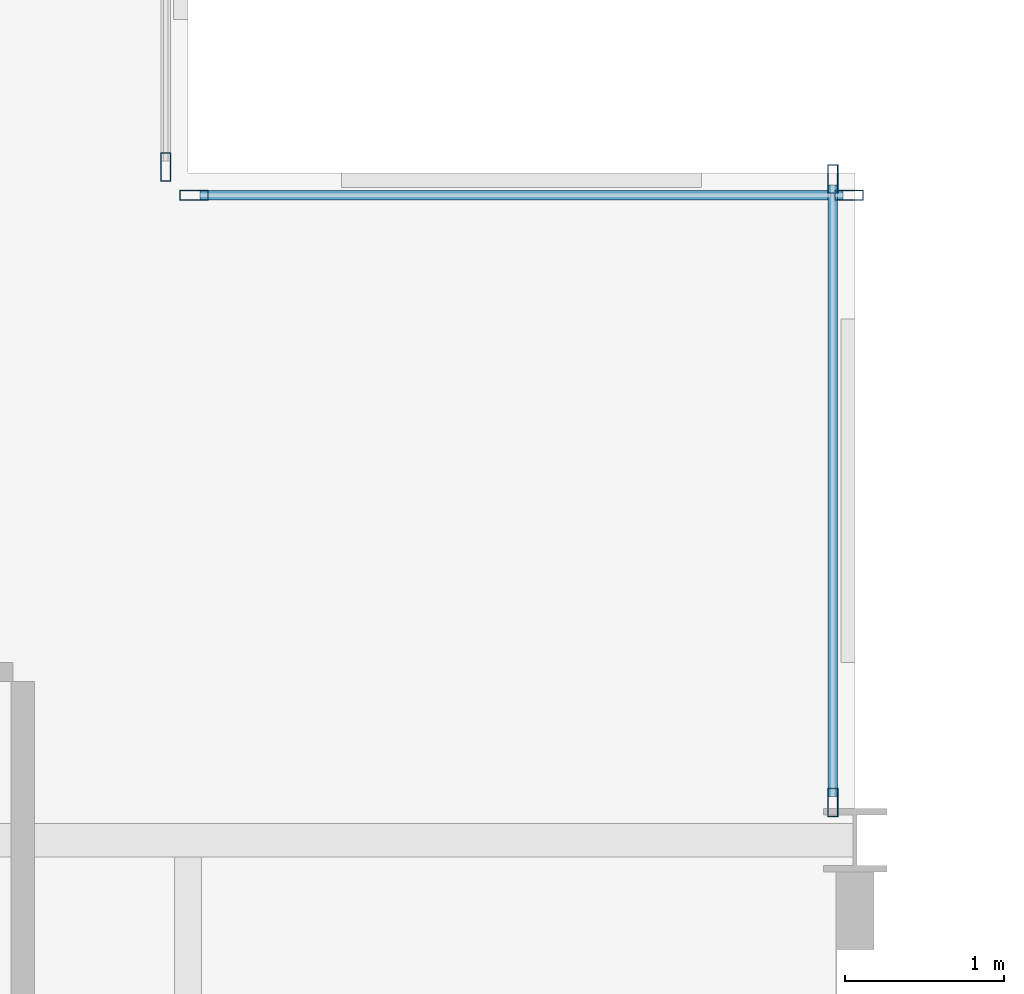
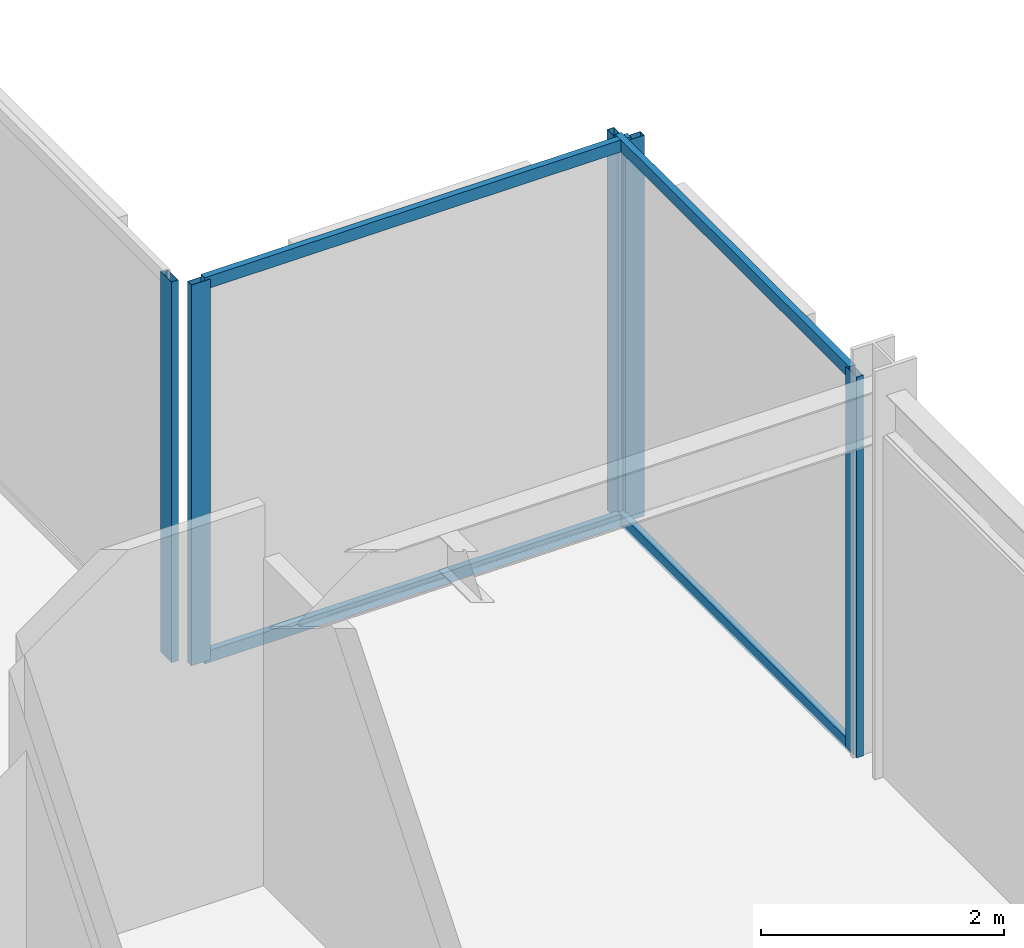
# One storey, part 20 of 29: 9 members, 3 elements without a shape of their own.
"""IFC4 building model written with IfcOpenShell, lengths in metres."""

from ifc_helpers import new_model, si_unit, direction, frame, origin, origin_2d, place, context, subcontext, project, spatial, hollow_rectangle, extrude, material, layer, layer_set, material_profile, profile_set, type_object, element, aggregate, save


model = new_model("IFC4")

# Units and contexts
model_context = context("Model", 3, precision=1e-05, world=origin(), true_north=direction((0.0, 1.0)))
body_context = subcontext(model_context, "Body", "Model", "MODEL_VIEW")
ifc_project = project(units=[si_unit("LENGTHUNIT", "METRE"), si_unit("AREAUNIT", "SQUARE_METRE"), si_unit("VOLUMEUNIT", "CUBIC_METRE"), si_unit("PLANEANGLEUNIT", "RADIAN"), si_unit("MASSUNIT", "GRAM", prefix="KILO")], contexts=[model_context])

# Site, building, storey
site_placement = place(None, origin())
site = spatial("IfcSite", under=ifc_project, at=site_placement, CompositionType="ELEMENT")
building_placement = place(site_placement, origin())
building = spatial("IfcBuilding", under=site, at=building_placement, Name="Nerrivon Quay Data Exchange", CompositionType="ELEMENT")
storey_placement = place(building_placement, frame((0.0, 0.0, 137.699951171875)))
storey = spatial("IfcBuildingStorey", under=building, at=storey_placement, Name="L32", CompositionType="ELEMENT", Elevation=137.699951171875)

# Curtain wall, member
ifc_material = material(Name="Anodised aluminium 6063-T6", Category="aluminium")
ifc_layer = layer(ifc_material, 0.2099609375)
ifc_layer_set = layer_set([ifc_layer], Name="Anodised aluminium 6063-T6")
curtain_wall_type = type_object("IfcCurtainWallType", Name="CW-SYS-02", PredefinedType="NOTDEFINED", material=ifc_layer_set)
curtain_wall_1_placement = place(storey_placement, origin())
curtain_wall_1 = element("IfcCurtainWall", 1, at=curtain_wall_1_placement, inside=storey, type_object=curtain_wall_type, Name="L32 Unitised Curtain Wall 21", PredefinedType="NOTDEFINED")
ifc_material_profile_1 = material_profile(ifc_material, hollow_rectangle(XDim=0.06494140625, YDim=0.179931640625, WallThickness=0.00341796875, at=origin_2d()), Name="ALU-MULL-180x65")
ifc_profile_set_1 = profile_set([ifc_material_profile_1], Name="Anodised aluminium 6063-T6")
member_type_1 = type_object("IfcMemberType", Name="CWM-180x65", PredefinedType="MULLION", material=ifc_profile_set_1)
member_1_placement = place(storey_placement, frame((20.860107421875, 46.237548828125, 0.0), z_axis=(0.0, 0.0, 1.0), x_axis=(1.0, 0.0, 0.0)))
member_1 = element("IfcMember", 2, at=member_1_placement, type_object=member_type_1, Name="CW02 mullion 2", PredefinedType="MULLION", context=body_context, shape_type="SweptSolid", body=[
    extrude(hollow_rectangle(XDim=0.06494140625, YDim=0.179931640625, WallThickness=0.00341796875, at=origin_2d()), origin(), (0.0, 0.0, 1.0), 3.824951171875),
])
aggregate(curtain_wall_1, [member_1])

# Curtain wall, members
curtain_wall_2_placement = place(storey_placement, origin())
curtain_wall_2 = element("IfcCurtainWall", 3, at=curtain_wall_2_placement, inside=storey, type_object=curtain_wall_type, Name="L32 Unitised Curtain Wall 22", PredefinedType="NOTDEFINED")
member_2_placement = place(storey_placement, frame((21.03759765625, 46.06005859375, 0.0), z_axis=(0.0, 0.0, 1.0), x_axis=(0.0, 1.0, 0.0)))
member_2 = element("IfcMember", 4, at=member_2_placement, type_object=member_type_1, Name="CW02 mullion 1", PredefinedType="MULLION", context=body_context, shape_type="SweptSolid", body=[
    extrude(hollow_rectangle(XDim=0.06494140625, YDim=0.179931640625, WallThickness=0.00341796875, at=origin_2d()), origin(), (0.0, 0.0, 1.0), 3.824951171875),
])
member_3_placement = place(storey_placement, frame((25.16259765625, 46.06005859375, 0.0), z_axis=(0.0, 0.0, 1.0), x_axis=(0.0, 1.0, 0.0)))
member_3 = element("IfcMember", 5, at=member_3_placement, type_object=member_type_1, Name="CW02 mullion 2", PredefinedType="MULLION", context=body_context, shape_type="SweptSolid", body=[
    extrude(hollow_rectangle(XDim=0.06494140625, YDim=0.179931640625, WallThickness=0.00341796875, at=origin_2d()), origin(), (0.0, 0.0, 1.0), 3.824951171875),
])

curtain_wall_3_placement = place(storey_placement, origin())
curtain_wall_3 = element("IfcCurtainWall", 6, at=curtain_wall_3_placement, inside=storey, type_object=curtain_wall_type, Name="L32 Unitised Curtain Wall 23", PredefinedType="NOTDEFINED")
member_4_placement = place(storey_placement, frame((25.06005859375, 46.16259765625, 0.0), z_axis=(0.0, 0.0, 1.0), x_axis=(1.0, 0.0, 0.0)))
member_4 = element("IfcMember", 7, at=member_4_placement, type_object=member_type_1, Name="CW02 mullion 1", PredefinedType="MULLION", context=body_context, shape_type="SweptSolid", body=[
    extrude(hollow_rectangle(XDim=0.06494140625, YDim=0.179931640625, WallThickness=0.00341796875, at=origin_2d()), origin(), (0.0, 0.0, 1.0), 3.824951171875),
])
member_5_placement = place(storey_placement, frame((25.06005859375, 42.237548828125, 0.0), z_axis=(0.0, 0.0, 1.0), x_axis=(1.0, 0.0, 0.0)))
member_5 = element("IfcMember", 8, at=member_5_placement, type_object=member_type_1, Name="CW02 mullion 2", PredefinedType="MULLION", context=body_context, shape_type="SweptSolid", body=[
    extrude(hollow_rectangle(XDim=0.06494140625, YDim=0.179931640625, WallThickness=0.00341796875, at=origin_2d()), origin(), (0.0, 0.0, 1.0), 3.824951171875),
])

# Member
ifc_material_profile_2 = material_profile(ifc_material, hollow_rectangle(XDim=0.06005859375, YDim=0.1201171875, WallThickness=0.003173828125, at=origin_2d()), Name="ALU-TRAN-120x60")
ifc_profile_set_2 = profile_set([ifc_material_profile_2], Name="Anodised aluminium 6063-T6")
member_type_2 = type_object("IfcMemberType", Name="CWT-120x60", PredefinedType="USERDEFINED", material=ifc_profile_set_2)
member_6_placement = place(storey_placement, frame((21.074951171875, 46.06005859375, 0.032470703125), z_axis=(1.0, 0.0, 0.0), x_axis=(0.0, 1.0, 0.0)))
member_6 = element("IfcMember", 9, at=member_6_placement, type_object=member_type_2, Name="CW02 transom 1.1", ObjectType="TRANSOM", PredefinedType="USERDEFINED", context=body_context, shape_type="SweptSolid", body=[
    extrude(hollow_rectangle(XDim=0.06005859375, YDim=0.1201171875, WallThickness=0.003173828125, at=origin_2d()), origin(), (0.0, 0.0, 1.0), 4.050048828125),
])

member_7_placement = place(storey_placement, frame((21.074951171875, 46.06005859375, 3.79248046875), z_axis=(1.0, 0.0, 0.0), x_axis=(0.0, 1.0, 0.0)))
member_7 = element("IfcMember", 10, at=member_7_placement, type_object=member_type_2, Name="CW02 transom 1.2", ObjectType="TRANSOM", PredefinedType="USERDEFINED", context=body_context, shape_type="SweptSolid", body=[
    extrude(hollow_rectangle(XDim=0.06005859375, YDim=0.1201171875, WallThickness=0.003173828125, at=origin_2d()), origin(), (0.0, 0.0, 1.0), 4.050048828125),
])

aggregate(curtain_wall_2, [member_2, member_3, member_6, member_7])

member_8_placement = place(storey_placement, frame((25.06005859375, 46.125, 0.032470703125), z_axis=(0.0, -1.0, 0.0), x_axis=(1.0, 0.0, 0.0)))
member_8 = element("IfcMember", 11, at=member_8_placement, type_object=member_type_2, Name="CW02 transom 1.1", ObjectType="TRANSOM", PredefinedType="USERDEFINED", context=body_context, shape_type="SweptSolid", body=[
    extrude(hollow_rectangle(XDim=0.06005859375, YDim=0.1201171875, WallThickness=0.003173828125, at=origin_2d()), origin(), (0.0, 0.0, 1.0), 3.85009765625),
])

member_9_placement = place(storey_placement, frame((25.06005859375, 46.125, 3.79248046875), z_axis=(0.0, -1.0, 0.0), x_axis=(1.0, 0.0, 0.0)))
member_9 = element("IfcMember", 12, at=member_9_placement, type_object=member_type_2, Name="CW02 transom 1.2", ObjectType="TRANSOM", PredefinedType="USERDEFINED", context=body_context, shape_type="SweptSolid", body=[
    extrude(hollow_rectangle(XDim=0.06005859375, YDim=0.1201171875, WallThickness=0.003173828125, at=origin_2d()), origin(), (0.0, 0.0, 1.0), 3.85009765625),
])

aggregate(curtain_wall_3, [member_4, member_5, member_8, member_9])

save(model, "model.ifc")
